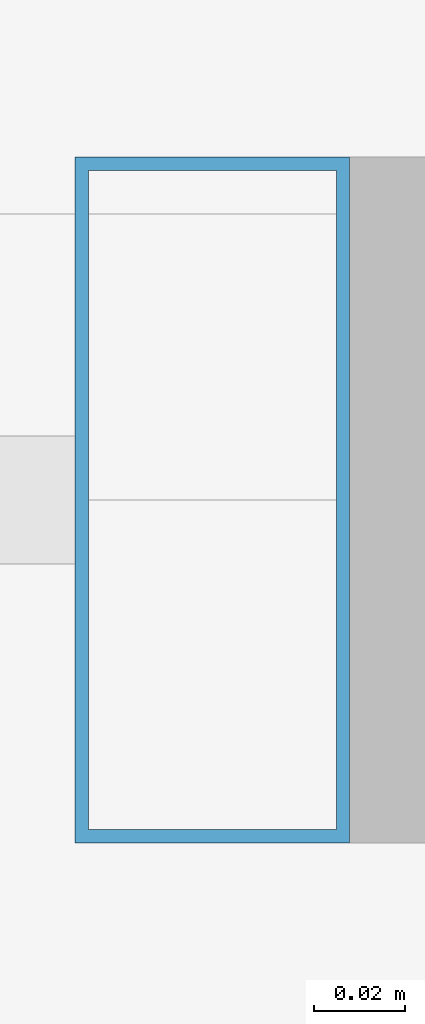
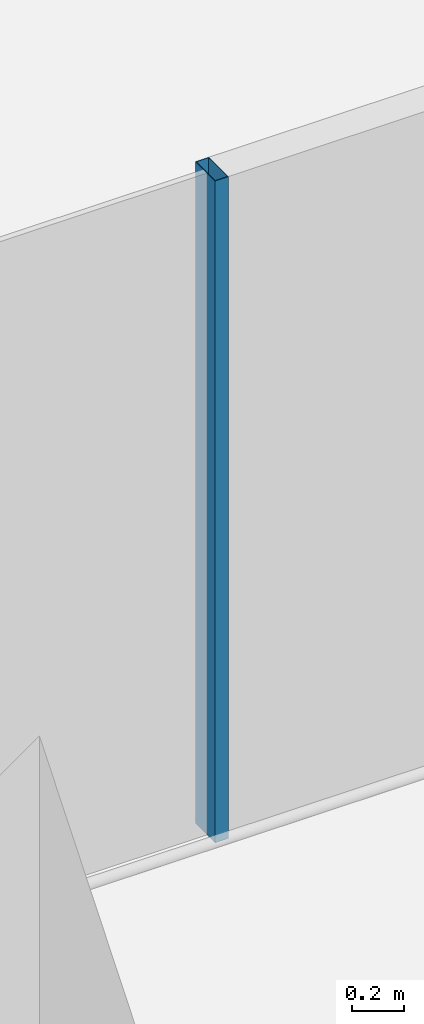
# One storey, part 7 of 56: 1 member, 1 element without a shape of its own.
"""IFC4 building model written with IfcOpenShell, lengths in metres."""

from ifc_helpers import new_model, si_unit, direction, frame, origin, origin_2d, place, context, subcontext, project, spatial, hollow_rectangle, extrude, material, material_profile, profile_set, type_object, element, aggregate, save


model = new_model("IFC4")

# Units and contexts
model_context = context("Model", 3, precision=1e-05, world=origin(), true_north=direction((0.0, 1.0)))
body_context = subcontext(model_context, "Body", "Model", "MODEL_VIEW")
ifc_project = project(units=[si_unit("LENGTHUNIT", "METRE"), si_unit("AREAUNIT", "SQUARE_METRE"), si_unit("VOLUMEUNIT", "CUBIC_METRE"), si_unit("PLANEANGLEUNIT", "RADIAN"), si_unit("MASSUNIT", "GRAM", prefix="KILO")], contexts=[model_context])

# Site, building, storey
site_placement = place(None, origin())
site = spatial("IfcSite", under=ifc_project, at=site_placement, CompositionType="ELEMENT")
building_placement = place(site_placement, origin())
building = spatial("IfcBuilding", under=site, at=building_placement, Name="Altepetl Exchange Towers", CompositionType="ELEMENT")
storey_placement = place(building_placement, frame((0.0, 0.0, 69.0)))
storey = spatial("IfcBuildingStorey", under=building, at=storey_placement, Name="L16", CompositionType="ELEMENT", Elevation=69.0)

# Curtain wall, member
ifc_material_1 = material(Name="Aluminium 6063-T6 glazing", Category="aluminium")
curtain_wall_type = type_object("IfcCurtainWallType", Name="Loggia glazing system", PredefinedType="NOTDEFINED", material=ifc_material_1)
curtain_wall_placement = place(storey_placement, origin())
curtain_wall = element("IfcCurtainWall", 1, at=curtain_wall_placement, inside=storey, type_object=curtain_wall_type, Name="CW1 run", PredefinedType="NOTDEFINED")
ifc_material_2 = material(Name="Aluminium 6063-T6", Category="aluminium")
ifc_material_profile = material_profile(ifc_material_2, hollow_rectangle(XDim=0.06005859375, YDim=0.14990234375, WallThickness=0.0029296875, at=origin_2d()), Name="Mullion 60x150 aluminium")
ifc_profile_set = profile_set([ifc_material_profile], Name="Aluminium 6063-T6")
member_type = type_object("IfcMemberType", Name="Mullion 60x150 aluminium", PredefinedType="MULLION", material=ifc_profile_set)
member_placement = place(storey_placement, frame((47.152099609375, 29.0, 0.0)))
member = element("IfcMember", 2, at=member_placement, type_object=member_type, Name="MU1 mullion", PredefinedType="MULLION", context=body_context, shape_type="SweptSolid", body=[
    extrude(hollow_rectangle(XDim=0.06005859375, YDim=0.14990234375, WallThickness=0.0029296875, at=origin_2d()), origin(), (0.0, 0.0, 1.0), 3.10009765625),
])
aggregate(curtain_wall, [member])

save(model, "model.ifc")
